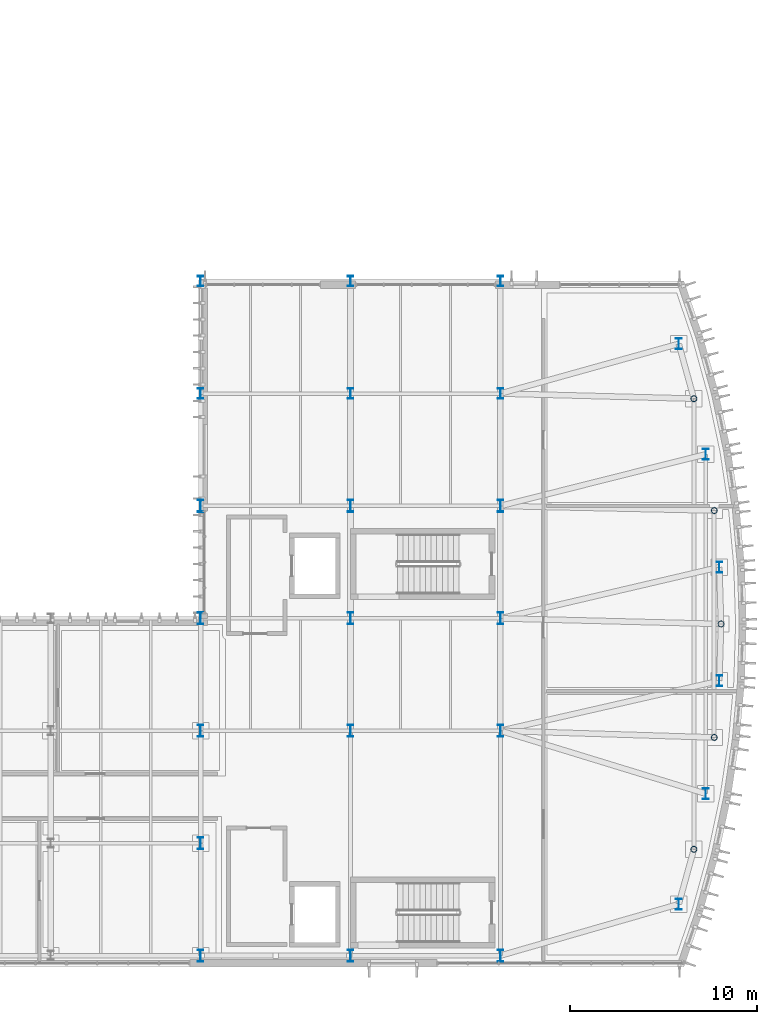
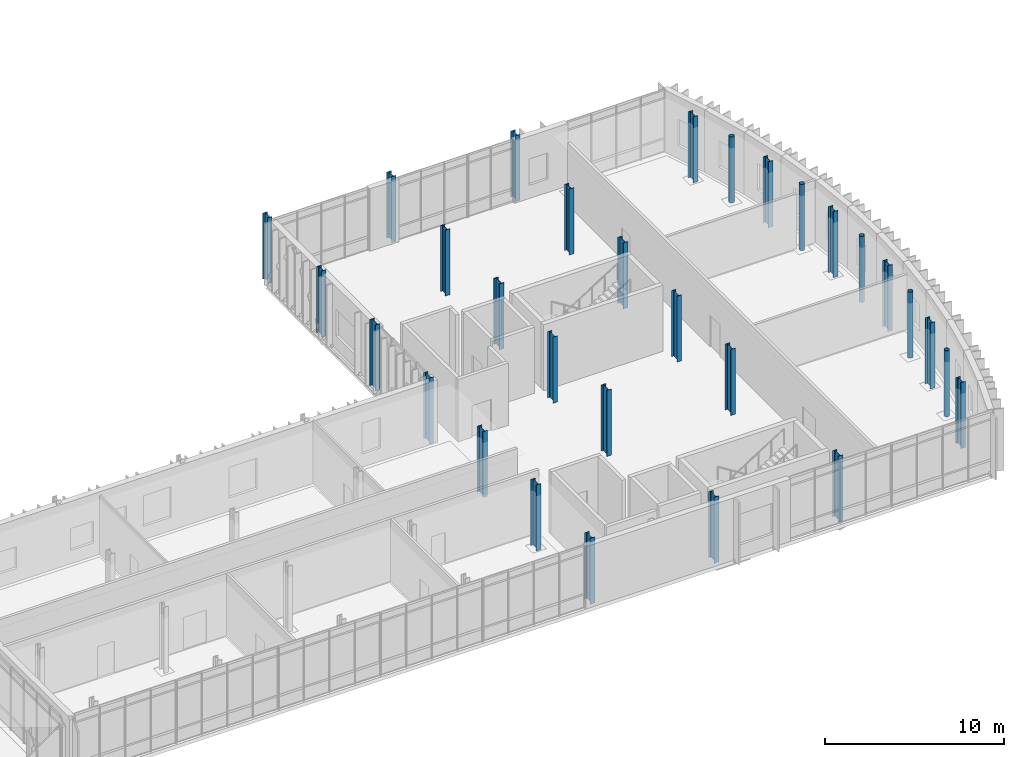
# One storey, part 11 of 100: 30 columns.
"""IFC4 building model written with IfcOpenShell, lengths in metres."""

from ifc_helpers import new_model, si_unit, direction, frame, origin, origin_2d, place, context, subcontext, project, spatial, hollow_circle, i_section, extrude, material, material_profile, profile_set, type_object, element, save


model = new_model("IFC4")

# Units and contexts
model_context = context("Model", 3, precision=1e-05, world=origin(), true_north=direction((0.0, 1.0)))
body_context = subcontext(model_context, "Body", "Model", "MODEL_VIEW")
ifc_project = project(units=[si_unit("LENGTHUNIT", "METRE"), si_unit("AREAUNIT", "SQUARE_METRE"), si_unit("VOLUMEUNIT", "CUBIC_METRE"), si_unit("PLANEANGLEUNIT", "RADIAN"), si_unit("MASSUNIT", "GRAM", prefix="KILO")], contexts=[model_context])

# Site, building, storey
site_placement = place(None, origin())
site = spatial("IfcSite", under=ifc_project, at=site_placement, CompositionType="ELEMENT")
building_placement = place(site_placement, origin())
building = spatial("IfcBuilding", under=site, at=building_placement, Name="Cymarion Research Institute", CompositionType="ELEMENT")
storey_placement = place(building_placement, frame((0.0, 0.0, 4.800048828125)))
storey = spatial("IfcBuildingStorey", under=building, at=storey_placement, Name="L01", CompositionType="ELEMENT", Elevation=4.800048828125)

# Columns
ifc_material = material(Name="Steel S355", Category="steel")
ifc_material_profile_1 = material_profile(ifc_material, i_section(OverallWidth=0.300048828125, OverallDepth=0.64990234375, WebThickness=0.01611328125, FlangeThickness=0.031005859375, FilletRadius=0.027099609375, at=origin_2d()), Name="HEB 650")
ifc_profile_set_1 = profile_set([ifc_material_profile_1], Name="Steel S355")
column_type_1 = type_object("IfcColumnType", Name="STRUCTURAL COLUMN C01 HEB 650", PredefinedType="COLUMN", material=ifc_profile_set_1)
for number, where, z_axis, x_axis, name in (
    (1, (138.60009765625, 5.5, 0.0), (0.0, 0.0, 1.0), (1.0, 0.0, 0.0), "L01 V1 column C01 #624"),
    (2, (138.60009765625, 11.5, 0.0), (0.0, 0.0, 1.0), (1.0, 0.0, 0.0), "L01 V1 column C01 #625"),
    (3, (138.60009765625, 17.5, 0.0), (0.0, 0.0, 1.0), (1.0, 0.0, 0.0), "L01 V1 column C01 #626"),
    (4, (138.60009765625, 23.5, 0.0), (0.0, 0.0, 1.0), (1.0, 0.0, 0.0), "L01 V1 column C01 #627"),
    (5, (138.60009765625, 29.5, 0.0), (0.0, 0.0, 1.0), (1.0, 0.0, 0.0), "L01 V1 column C01 #628"),
    (6, (146.60009765625, 5.5, 0.0), (0.0, 0.0, 1.0), (1.0, 0.0, 0.0), "L01 V1 column C01 #631"),
    (7, (146.60009765625, 17.5, 0.0), (0.0, 0.0, 1.0), (1.0, 0.0, 0.0), "L01 V1 column C01 #632"),
    (8, (146.60009765625, 23.5, 0.0), (0.0, 0.0, 1.0), (1.0, 0.0, 0.0), "L01 V1 column C01 #633"),
    (9, (146.60009765625, 29.5, 0.0), (0.0, 0.0, 1.0), (1.0, 0.0, 0.0), "L01 V1 column C01 #634"),
    (10, (154.60009765625, 5.5, 0.0), (0.0, 0.0, 1.0), (1.0, 0.0, 0.0), "L01 V1 column C01 #637"),
    (11, (154.60009765625, 17.5, 0.0), (0.0, 0.0, 1.0), (1.0, 0.0, 0.0), "L01 V1 column C01 #638"),
    (12, (154.60009765625, 23.5, 0.0), (0.0, 0.0, 1.0), (1.0, 0.0, 0.0), "L01 V1 column C01 #639"),
    (13, (154.60009765625, 29.5, 0.0), (0.0, 0.0, 1.0), (1.0, 0.0, 0.0), "L01 V1 column C01 #640"),
):
    element("IfcColumn", number, at=place(storey_placement, frame(where, z_axis=z_axis, x_axis=x_axis)), inside=storey, type_object=column_type_1, Name=name, PredefinedType="COLUMN", context=body_context, shape_type="SweptSolid", body=[
        extrude(i_section(OverallWidth=0.300048828125, OverallDepth=0.64990234375, WebThickness=0.01611328125, FlangeThickness=0.031005859375, FilletRadius=0.027099609375, at=origin_2d()), origin(), (0.0, 0.0, 1.0), 4.5),
    ])
ifc_material_profile_2 = material_profile(ifc_material, i_section(OverallWidth=0.300048828125, OverallDepth=0.60009765625, WebThickness=0.015380859375, FlangeThickness=0.030029296875, FilletRadius=0.027099609375, at=origin_2d()), Name="HEB 600")
ifc_profile_set_2 = profile_set([ifc_material_profile_2], Name="Steel S355")
column_type_2 = type_object("IfcColumnType", Name="STRUCTURAL COLUMN C02 HEB 600", PredefinedType="COLUMN", material=ifc_profile_set_2)
for number, where, z_axis, x_axis, name in (
    (14, (164.118896484375, 8.2470703125, 0.0), (0.0, 0.0, 1.0), (1.0, 0.0, 0.0), "L01 V1 column C02 #643"),
    (15, (164.118896484375, 38.153076171875, 0.0), (0.0, 0.0, 1.0), (1.0, 0.0, 0.0), "L01 V1 column C02 #644"),
    (16, (165.559814453125, 14.1416015625, 0.0), (0.0, 0.0, 1.0), (1.0, 0.0, 0.0), "L01 V1 column C02 #647"),
    (17, (165.559814453125, 32.258544921875, 0.0), (0.0, 0.0, 1.0), (1.0, 0.0, 0.0), "L01 V1 column C02 #648"),
    (18, (166.285400390625, 20.166015625, 0.0), (0.0, 0.0, 1.0), (1.0, 0.0, 0.0), "L01 V1 column C02 #651"),
    (19, (166.285400390625, 26.23388671875, 0.0), (0.0, 0.0, 1.0), (1.0, 0.0, 0.0), "L01 V1 column C02 #652"),
):
    element("IfcColumn", number, at=place(storey_placement, frame(where, z_axis=z_axis, x_axis=x_axis)), inside=storey, type_object=column_type_2, Name=name, PredefinedType="COLUMN", context=body_context, shape_type="SweptSolid", body=[
        extrude(i_section(OverallWidth=0.300048828125, OverallDepth=0.60009765625, WebThickness=0.015380859375, FlangeThickness=0.030029296875, FilletRadius=0.027099609375, at=origin_2d()), origin(), (0.0, 0.0, 1.0), 4.5),
    ])
ifc_material_profile_3 = material_profile(ifc_material, i_section(OverallWidth=0.300048828125, OverallDepth=0.550048828125, WebThickness=0.014892578125, FlangeThickness=0.029052734375, FilletRadius=0.027099609375, at=origin_2d()), Name="HEB 550")
ifc_profile_set_3 = profile_set([ifc_material_profile_3], Name="Steel S355")
column_type_3 = type_object("IfcColumnType", Name="STRUCTURAL COLUMN C03 HEB 550", PredefinedType="COLUMN", material=ifc_profile_set_3)
for number, where, z_axis, x_axis, name in (
    (20, (138.60009765625, 35.5, 0.0), (0.0, 0.0, 1.0), (1.0, 0.0, 0.0), "L01 V1 column C03 #629"),
    (21, (138.60009765625, 41.5, 0.0), (0.0, 0.0, 1.0), (1.0, 0.0, 0.0), "L01 V1 column C03 #630"),
    (22, (146.60009765625, 35.5, 0.0), (0.0, 0.0, 1.0), (1.0, 0.0, 0.0), "L01 V1 column C03 #635"),
    (23, (146.60009765625, 41.5, 0.0), (0.0, 0.0, 1.0), (1.0, 0.0, 0.0), "L01 V1 column C03 #636"),
    (24, (154.60009765625, 35.5, 0.0), (0.0, 0.0, 1.0), (1.0, 0.0, 0.0), "L01 V1 column C03 #641"),
    (25, (154.60009765625, 41.5, 0.0), (0.0, 0.0, 1.0), (1.0, 0.0, 0.0), "L01 V1 column C03 #642"),
):
    element("IfcColumn", number, at=place(storey_placement, frame(where, z_axis=z_axis, x_axis=x_axis)), inside=storey, type_object=column_type_3, Name=name, PredefinedType="COLUMN", context=body_context, shape_type="SweptSolid", body=[
        extrude(i_section(OverallWidth=0.300048828125, OverallDepth=0.550048828125, WebThickness=0.014892578125, FlangeThickness=0.029052734375, FilletRadius=0.027099609375, at=origin_2d()), origin(), (0.0, 0.0, 1.0), 4.5),
    ])
ifc_material_profile_4 = material_profile(ifc_material, hollow_circle(Radius=0.161865234375, WallThickness=0.01611328125, at=origin_2d()), Name="CHS 323.9x16")
ifc_profile_set_4 = profile_set([ifc_material_profile_4], Name="Steel S355")
column_type_4 = type_object("IfcColumnType", Name="STRUCTURAL COLUMN C16 CHS 323.9x16", PredefinedType="COLUMN", material=ifc_profile_set_4)
for number, where, z_axis, x_axis, name in (
    (26, (164.927734375, 11.172607421875, 0.0), (0.0, 0.0, 1.0), (1.0, 0.0, 0.0), "L01 V1 column C16 #645"),
    (27, (164.927734375, 35.227294921875, 0.0), (0.0, 0.0, 1.0), (1.0, 0.0, 0.0), "L01 V1 column C16 #646"),
    (28, (166.012939453125, 17.142822265625, 0.0), (0.0, 0.0, 1.0), (1.0, 0.0, 0.0), "L01 V1 column C16 #649"),
    (29, (166.012939453125, 29.257080078125, 0.0), (0.0, 0.0, 1.0), (1.0, 0.0, 0.0), "L01 V1 column C16 #650"),
    (30, (166.37646484375, 23.199951171875, 0.0), (0.0, 0.0, 1.0), (1.0, 0.0, 0.0), "L01 V1 column C16 #653"),
):
    element("IfcColumn", number, at=place(storey_placement, frame(where, z_axis=z_axis, x_axis=x_axis)), inside=storey, type_object=column_type_4, Name=name, PredefinedType="COLUMN", context=body_context, shape_type="SweptSolid", body=[
        extrude(hollow_circle(Radius=0.161865234375, WallThickness=0.01611328125, at=origin_2d()), origin(), (0.0, 0.0, 1.0), 4.5),
    ])

save(model, "model.ifc")
